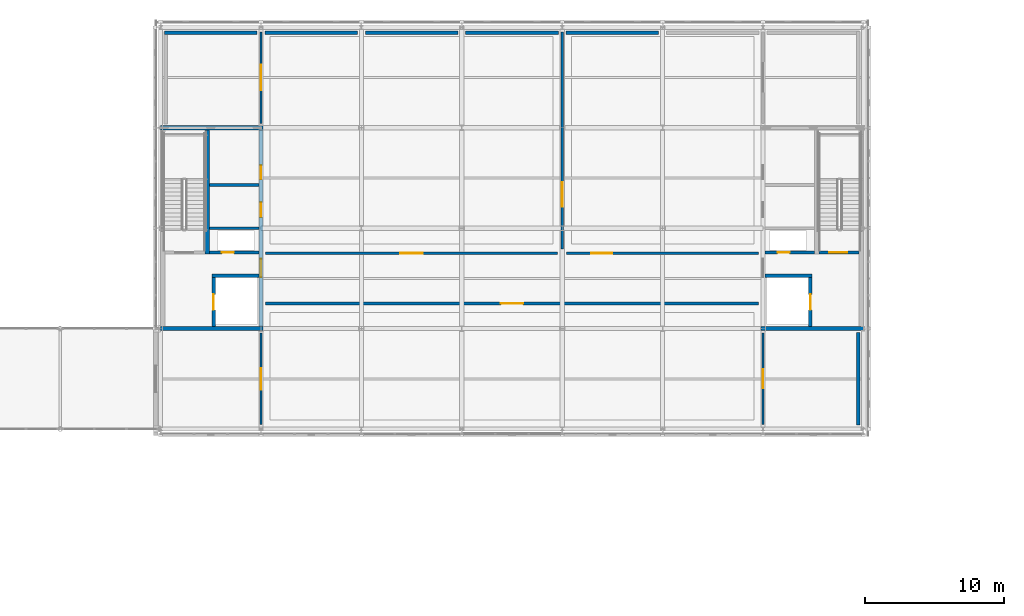
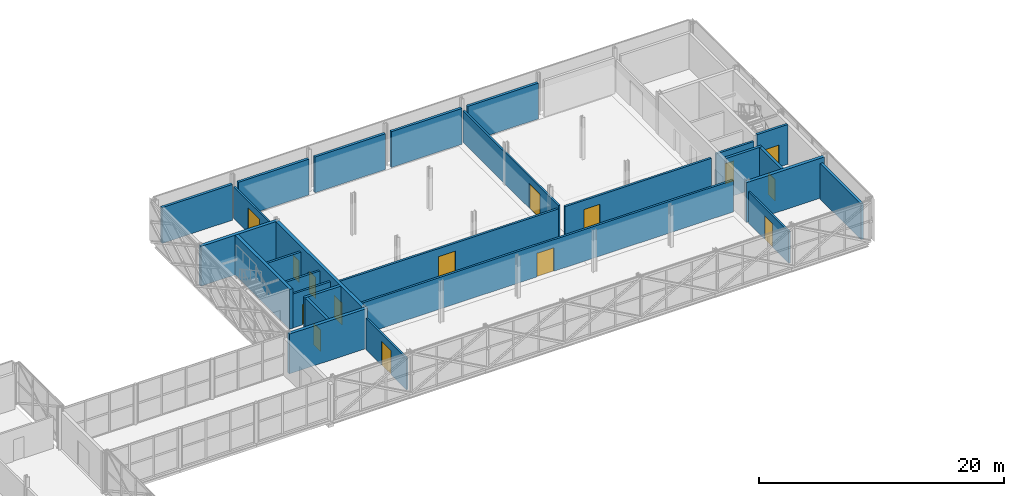
# One storey, part 89 of 103: 27 walls, 15 doors, 15 openings.
"""IFC4 building model written with IfcOpenShell, lengths in metres."""

from ifc_helpers import new_model, si_unit, direction, frame, frame_2d, origin, place, context, subcontext, project, spatial, rectangle, extrude, material, layer, layer_set, type_object, element, fill, save


model = new_model("IFC4")

# Units and contexts
model_context = context("Model", 3, precision=1e-05, world=origin(), true_north=direction((0.0, 1.0)))
body_context = subcontext(model_context, "Body", "Model", "MODEL_VIEW")
ifc_project = project(units=[si_unit("LENGTHUNIT", "METRE"), si_unit("AREAUNIT", "SQUARE_METRE"), si_unit("VOLUMEUNIT", "CUBIC_METRE"), si_unit("PLANEANGLEUNIT", "RADIAN"), si_unit("MASSUNIT", "GRAM", prefix="KILO")], contexts=[model_context])

# Site, building, storey
site_placement = place(None, origin())
site = spatial("IfcSite", under=ifc_project, at=site_placement, CompositionType="ELEMENT")
building_placement = place(site_placement, origin())
building = spatial("IfcBuilding", under=site, at=building_placement, Name="Zlatovets Crest Museum", CompositionType="ELEMENT")
storey_placement = place(building_placement, frame((0.0, 0.0, 12.89990234375)))
storey = spatial("IfcBuildingStorey", under=building, at=storey_placement, Name="L03", CompositionType="ELEMENT", Elevation=12.89990234375)

# Walls
ifc_material_1 = material(Name="Concrete C35/45", Category="concrete")
ifc_layer_1 = layer(ifc_material_1, 0.300048828125)
ifc_layer_set_1 = layer_set([ifc_layer_1], Name="Concrete C35/45")
wall_type_1 = type_object("IfcWallType", Name="CoreWall_SW01", PredefinedType="SHEAR", material=ifc_layer_set_1)
for number, where, z_axis, x_axis, name in (
    (1, (57.60009765625, 93.60009765625, 0.0), (0.0, 0.0, 1.0), (1.0, 0.0, 0.0), "Core C1 L03 South Shear Wall"),
    (2, (57.60009765625, 108.0, 0.0), (0.0, 0.0, 1.0), (1.0, 0.0, 0.0), "Core C1 L03 North Shear Wall"),
):
    element("IfcWall", number, at=place(storey_placement, frame(where, z_axis=z_axis, x_axis=x_axis)), inside=storey, type_object=wall_type_1, Name=name, PredefinedType="SHEAR", context=body_context, shape_type="SweptSolid", body=[
        extrude(rectangle(XDim=7.349853515625, YDim=0.300048828125, at=frame_2d((3.6748046875, 0.0))), origin(), (0.0, 0.0, 1.0), 3.960205078125),
    ])

# Wall, openings, doors
wall_1_placement = place(storey_placement, frame((64.800048828125, 93.75, 0.0), z_axis=(0.0, 0.0, 1.0), x_axis=(0.0, 1.0, 0.0)))
wall_1 = element("IfcWall", 3, at=wall_1_placement, inside=storey, type_object=wall_type_1, Name="Core C1 L03 Spine Shear Wall", PredefinedType="SHEAR", context=body_context, shape_type="SweptSolid", body=[
    extrude(rectangle(XDim=14.10009765625, YDim=0.300048828125, at=frame_2d((7.050048828125, 0.0))), origin(), (0.0, 0.0, 1.0), 3.960205078125),
])
opening_1_placement = place(wall_1_placement, frame((3.550048828125, 0.0, 0.0)))
opening_1 = element("IfcOpeningElement", 4, at=opening_1_placement, cuts=wall_1, Name="Opening FD-01", PredefinedType="OPENING", context=body_context, shape_type="SweptSolid", body=[
    extrude(rectangle(XDim=1.300048828125, YDim=2.199951171875, at=frame_2d((0.64990234375, 1.10009765625))), frame((0.0, 0.16015625, 0.0), z_axis=(0.0, -1.0, 0.0), x_axis=(1.0, 0.0, 0.0)), (0.0, 0.0, 1.0), 0.320068359375),
])
opening_2_placement = place(wall_1_placement, frame((7.85009765625, 0.0, 0.0)))
opening_2 = element("IfcOpeningElement", 5, at=opening_2_placement, cuts=wall_1, Name="Opening ID-02", PredefinedType="OPENING", context=body_context, shape_type="SweptSolid", body=[
    extrude(rectangle(XDim=1.050048828125, YDim=2.14990234375, at=frame_2d((0.52490234375, 1.074951171875))), frame((0.0, 0.16015625, 0.0), z_axis=(0.0, -1.0, 0.0), x_axis=(1.0, 0.0, 0.0)), (0.0, 0.0, 1.0), 0.320068359375),
])
opening_3_placement = place(wall_1_placement, frame((10.550048828125, 0.0, 0.0)))
opening_3 = element("IfcOpeningElement", 6, at=opening_3_placement, cuts=wall_1, Name="Opening ID-01", PredefinedType="OPENING", context=body_context, shape_type="SweptSolid", body=[
    extrude(rectangle(XDim=1.0, YDim=2.14990234375, at=frame_2d((0.5, 1.074951171875))), frame((0.0, 0.16015625, 0.0), z_axis=(0.0, -1.0, 0.0), x_axis=(1.0, 0.0, 0.0)), (0.0, 0.0, 1.0), 0.320068359375),
])
ifc_material_2 = material(Name="Smoke-sealed steel fire door", Category="steel")
door_type_1 = type_object("IfcDoorType", Name="IntDoor_FD-01", OperationType="NOTDEFINED", PredefinedType="DOOR", material=ifc_material_2)
door_1_placement = place(opening_1_placement, origin())
door_1 = element("IfcDoor", 7, at=door_1_placement, inside=storey, type_object=door_type_1, Name="CDOOR-C1-L03-LOB Core C1 L03 Lobby Fire Door", OperationType="SINGLE_SWING_LEFT", OverallHeight=2.199951171875, OverallWidth=1.300048828125, PredefinedType="DOOR", context=body_context, shape_type="SweptSolid", body=[
    extrude(rectangle(XDim=1.300048828125, YDim=2.199951171875, at=frame_2d((0.64990234375, 1.10009765625))), frame((0.0, 0.02490234375, 0.0), z_axis=(0.0, -1.0, 0.0), x_axis=(1.0, 0.0, 0.0)), (0.0, 0.0, 1.0), 0.050048828125),
])
fill(opening_1, door_1)
ifc_material_3 = material(Name="Solid oak museum room door")
door_type_2 = type_object("IfcDoorType", Name="IntDoor_ID-01", OperationType="NOTDEFINED", PredefinedType="DOOR", material=ifc_material_3)
door_2_placement = place(opening_3_placement, origin())
door_2 = element("IfcDoor", 8, at=door_2_placement, inside=storey, type_object=door_type_2, Name="CDOOR-C1-L03-WC Core C1 L03 Public Restroom Door", OperationType="SINGLE_SWING_RIGHT", OverallHeight=2.14990234375, OverallWidth=1.0, PredefinedType="DOOR", context=body_context, shape_type="SweptSolid", body=[
    extrude(rectangle(XDim=1.0, YDim=2.14990234375, at=frame_2d((0.5, 1.074951171875))), frame((0.0, 0.02490234375, 0.0), z_axis=(0.0, -1.0, 0.0), x_axis=(1.0, 0.0, 0.0)), (0.0, 0.0, 1.0), 0.050048828125),
])
fill(opening_3, door_2)
ifc_material_4 = material(Name="Accessible sanitary room door")
door_type_3 = type_object("IfcDoorType", Name="IntDoor_ID-02", OperationType="NOTDEFINED", PredefinedType="DOOR", material=ifc_material_4)
door_3_placement = place(opening_2_placement, origin())
door_3 = element("IfcDoor", 9, at=door_3_placement, inside=storey, type_object=door_type_3, Name="CDOOR-C1-L03-AWC Core C1 L03 Accessible WC Door", OperationType="SINGLE_SWING_LEFT", OverallHeight=2.14990234375, OverallWidth=1.050048828125, PredefinedType="DOOR", context=body_context, shape_type="SweptSolid", body=[
    extrude(rectangle(XDim=1.050048828125, YDim=2.14990234375, at=frame_2d((0.52490234375, 1.074951171875))), frame((0.0, 0.02490234375, 0.0), z_axis=(0.0, -1.0, 0.0), x_axis=(1.0, 0.0, 0.0)), (0.0, 0.0, 1.0), 0.050048828125),
])
fill(opening_2, door_3)

# Walls
wall_2_placement = place(storey_placement, frame((60.949951171875, 98.93994140625, 0.0), z_axis=(0.0, 0.0, 1.0), x_axis=(0.0, 1.0, 0.0)))
element("IfcWall", 10, at=wall_2_placement, inside=storey, type_object=wall_type_1, Name="Core C1 L03 Stair Divider Wall", PredefinedType="SHEAR", context=body_context, shape_type="SweptSolid", body=[
    extrude(rectangle(XDim=8.91015625, YDim=0.300048828125, at=frame_2d((4.455078125, 0.0))), origin(), (0.0, 0.0, 1.0), 3.960205078125),
])
wall_3_placement = place(storey_placement, frame((100.64990234375, 93.60009765625, 0.0), z_axis=(0.0, 0.0, 1.0), x_axis=(1.0, 0.0, 0.0)))
element("IfcWall", 11, at=wall_3_placement, inside=storey, type_object=wall_type_1, Name="Core C6 L03 South Shear Wall", PredefinedType="SHEAR", context=body_context, shape_type="SweptSolid", body=[
    extrude(rectangle(XDim=7.35009765625, YDim=0.300048828125, at=frame_2d((3.675048828125, 0.0))), origin(), (0.0, 0.0, 1.0), 3.960205078125),
])

# Wall, opening, door
ifc_layer_2 = layer(ifc_material_1, 0.25)
ifc_layer_set_2 = layer_set([ifc_layer_2], Name="Concrete C35/45")
wall_type_2 = type_object("IfcWallType", Name="CoreWall_SW02", PredefinedType="SHEAR", material=ifc_layer_set_2)
wall_4_placement = place(storey_placement, frame((61.39990234375, 93.75, 0.0), z_axis=(0.0, 0.0, 1.0), x_axis=(0.0, 1.0, 0.0)))
wall_4 = element("IfcWall", 12, at=wall_4_placement, inside=storey, type_object=wall_type_2, Name="Core C1 L03 Lift Shaft Wall", PredefinedType="SHEAR", context=body_context, shape_type="SweptSolid", body=[
    extrude(rectangle(XDim=3.52490234375, YDim=0.25, at=frame_2d((1.762451171875, 0.0))), origin(), (0.0, 0.0, 1.0), 3.960205078125),
])
opening_4_placement = place(wall_4_placement, frame((1.199951171875, 0.0, 0.0)))
opening_4 = element("IfcOpeningElement", 13, at=opening_4_placement, cuts=wall_4, Name="Opening LD-01", PredefinedType="OPENING", context=body_context, shape_type="SweptSolid", body=[
    extrude(rectangle(XDim=1.10009765625, YDim=2.14990234375, at=frame_2d((0.550048828125, 1.074951171875))), frame((0.0, 0.135009765625, 0.0), z_axis=(0.0, -1.0, 0.0), x_axis=(1.0, 0.0, 0.0)), (0.0, 0.0, 1.0), 0.27001953125),
])
ifc_material_5 = material(Name="Stainless-bronze sliding lift landing door")
door_type_4 = type_object("IfcDoorType", Name="IntDoor_LD-01", OperationType="SLIDING_TO_LEFT", PredefinedType="DOOR", material=ifc_material_5)
door_4_placement = place(opening_4_placement, origin())
door_4 = element("IfcDoor", 14, at=door_4_placement, inside=storey, type_object=door_type_4, Name="LDOOR-FL1-L03 Lift FL1 L03 Sliding Landing Door", OperationType="SLIDING_TO_LEFT", OverallHeight=2.14990234375, OverallWidth=1.10009765625, PredefinedType="DOOR", context=body_context, shape_type="SweptSolid", body=[
    extrude(rectangle(XDim=1.10009765625, YDim=2.14990234375, at=frame_2d((0.550048828125, 1.074951171875))), frame((0.0, 0.02490234375, 0.0), z_axis=(0.0, -1.0, 0.0), x_axis=(1.0, 0.0, 0.0)), (0.0, 0.0, 1.0), 0.050048828125),
])
fill(opening_4, door_4)

# Wall
wall_5_placement = place(storey_placement, frame((61.27490234375, 97.39990234375, 0.0), z_axis=(0.0, 0.0, 1.0), x_axis=(1.0, 0.0, 0.0)))
element("IfcWall", 15, at=wall_5_placement, inside=storey, type_object=wall_type_2, Name="Core C1 L03 Lift Shaft North Shear Wall", PredefinedType="SHEAR", context=body_context, shape_type="SweptSolid", body=[
    extrude(rectangle(XDim=3.375, YDim=0.25, at=frame_2d((1.6875, 0.0))), origin(), (0.0, 0.0, 1.0), 3.960205078125),
])

# Wall, opening, door
wall_6_placement = place(storey_placement, frame((104.199951171875, 93.75, 0.0), z_axis=(0.0, 0.0, 1.0), x_axis=(0.0, 1.0, 0.0)))
wall_6 = element("IfcWall", 16, at=wall_6_placement, inside=storey, type_object=wall_type_2, Name="Core C6 L03 Lift Shaft Wall", PredefinedType="SHEAR", context=body_context, shape_type="SweptSolid", body=[
    extrude(rectangle(XDim=3.52490234375, YDim=0.25, at=frame_2d((1.762451171875, 0.0))), origin(), (0.0, 0.0, 1.0), 3.960205078125),
])
opening_5_placement = place(wall_6_placement, frame((1.199951171875, 0.0, 0.0)))
opening_5 = element("IfcOpeningElement", 17, at=opening_5_placement, cuts=wall_6, Name="Opening LD-01", PredefinedType="OPENING", context=body_context, shape_type="SweptSolid", body=[
    extrude(rectangle(XDim=1.10009765625, YDim=2.14990234375, at=frame_2d((0.550048828125, 1.074951171875))), frame((0.0, 0.135009765625, 0.0), z_axis=(0.0, -1.0, 0.0), x_axis=(1.0, 0.0, 0.0)), (0.0, 0.0, 1.0), 0.27001953125),
])
door_5_placement = place(opening_5_placement, origin())
door_5 = element("IfcDoor", 18, at=door_5_placement, inside=storey, type_object=door_type_4, Name="LDOOR-FL2-L03 Lift FL2 L03 Sliding Landing Door", OperationType="SLIDING_TO_LEFT", OverallHeight=2.14990234375, OverallWidth=1.10009765625, PredefinedType="DOOR", context=body_context, shape_type="SweptSolid", body=[
    extrude(rectangle(XDim=1.10009765625, YDim=2.14990234375, at=frame_2d((0.550048828125, 1.074951171875))), frame((0.0, 0.02490234375, 0.0), z_axis=(0.0, -1.0, 0.0), x_axis=(1.0, 0.0, 0.0)), (0.0, 0.0, 1.0), 0.050048828125),
])
fill(opening_5, door_5)

wall_7_placement = place(storey_placement, frame((104.800048828125, 99.050048828125, 0.0), z_axis=(0.0, 0.0, 1.0), x_axis=(1.0, 0.0, 0.0)))
wall_7 = element("IfcWall", 19, at=wall_7_placement, inside=storey, type_object=wall_type_2, Name="Core C6 L03 Stairwell Fire Wall", PredefinedType="SHEAR", context=body_context, shape_type="SweptSolid", body=[
    extrude(rectangle(XDim=2.89990234375, YDim=0.219970703125, at=frame_2d((1.449951171875, 0.0))), origin(), (0.0, 0.0, 1.0), 3.960205078125),
])
opening_6_placement = place(wall_7_placement, frame((0.75, 0.0, 0.0)))
opening_6 = element("IfcOpeningElement", 20, at=opening_6_placement, cuts=wall_7, Name="Opening FD-01", PredefinedType="OPENING", context=body_context, shape_type="SweptSolid", body=[
    extrude(rectangle(XDim=1.300048828125, YDim=2.199951171875, at=frame_2d((0.64990234375, 1.10009765625))), frame((0.0, 0.1201171875, 0.0), z_axis=(0.0, -1.0, 0.0), x_axis=(1.0, 0.0, 0.0)), (0.0, 0.0, 1.0), 0.239990234375),
])
door_6_placement = place(opening_6_placement, origin())
door_6 = element("IfcDoor", 21, at=door_6_placement, inside=storey, type_object=door_type_1, Name="SDOOR-ST7-L03 Stair ST7 L03 Fire Door", OperationType="SINGLE_SWING_LEFT", OverallHeight=2.199951171875, OverallWidth=1.300048828125, PredefinedType="DOOR", context=body_context, shape_type="SweptSolid", body=[
    extrude(rectangle(XDim=1.300048828125, YDim=2.199951171875, at=frame_2d((0.64990234375, 1.10009765625))), frame((0.0, 0.02490234375, 0.0), z_axis=(0.0, -1.0, 0.0), x_axis=(1.0, 0.0, 0.0)), (0.0, 0.0, 1.0), 0.050048828125),
])
fill(opening_6, door_6)

# Walls
wall_8_placement = place(storey_placement, frame((100.949951171875, 97.39990234375, 0.0), z_axis=(0.0, 0.0, 1.0), x_axis=(1.0, 0.0, 0.0)))
element("IfcWall", 22, at=wall_8_placement, inside=storey, type_object=wall_type_2, Name="Core C6 L03 Lift Shaft North Shear Wall", PredefinedType="SHEAR", context=body_context, shape_type="SweptSolid", body=[
    extrude(rectangle(XDim=3.375, YDim=0.25, at=frame_2d((1.6875, 0.0))), origin(), (0.0, 0.0, 1.0), 3.960205078125),
])
ifc_material_6 = material(Name="Insulated gallery conservation liner wall", Category="concrete")
ifc_layer_3 = layer(ifc_material_6, 0.300048828125)
ifc_layer_set_3 = layer_set([ifc_layer_3], Name="Insulated gallery conservation liner wall")
wall_type_3 = type_object("IfcWallType", Name="ExtWall_EW-02", PredefinedType="STANDARD", material=ifc_layer_set_3)
for number, where, z_axis, x_axis, name in (
    (23, (107.6201171875, 86.679931640625, 0.0), (0.0, 0.0, 1.0), (0.0, 1.0, 0.0), "V1 L03 Interior Conservation Gallery Liner Wall"),
    (24, (93.320068359375, 114.820068359375, 0.0), (0.0, 0.0, 1.0), (-1.0, 0.0, 0.0), "V1 L03 Interior Conservation Gallery Liner Wall"),
    (25, (86.1201171875, 114.820068359375, 0.0), (0.0, 0.0, 1.0), (-1.0, 0.0, 0.0), "V1 L03 Interior Conservation Gallery Liner Wall"),
):
    element("IfcWall", number, at=place(storey_placement, frame(where, z_axis=z_axis, x_axis=x_axis)), inside=storey, type_object=wall_type_3, Name=name, PredefinedType="STANDARD", context=body_context, shape_type="SweptSolid", body=[
        extrude(rectangle(XDim=6.64013671875, YDim=0.239990234375, at=frame_2d((3.320068359375, 0.0))), origin(), (0.0, 0.0, 1.0), 3.56005859375),
    ])
for number, where, z_axis, x_axis, name in (
    (26, (78.919921875, 114.820068359375, 0.0), (0.0, 0.0, 1.0), (-1.0, 0.0, 0.0), "V1 L03 Interior Conservation Gallery Liner Wall"),
    (27, (71.719970703125, 114.820068359375, 0.0), (0.0, 0.0, 1.0), (-1.0, 0.0, 0.0), "V1 L03 Interior Conservation Gallery Liner Wall"),
):
    element("IfcWall", number, at=place(storey_placement, frame(where, z_axis=z_axis, x_axis=x_axis)), inside=storey, type_object=wall_type_3, Name=name, PredefinedType="STANDARD", context=body_context, shape_type="SweptSolid", body=[
        extrude(rectangle(XDim=6.639892578125, YDim=0.239990234375, at=frame_2d((3.31982421875, 0.0))), origin(), (0.0, 0.0, 1.0), 3.56005859375),
    ])
wall_9_placement = place(storey_placement, frame((64.52001953125, 114.820068359375, 0.0), z_axis=(0.0, 0.0, 1.0), x_axis=(-1.0, 0.0, 0.0)))
element("IfcWall", 28, at=wall_9_placement, inside=storey, type_object=wall_type_3, Name="V1 L03 Interior Conservation Gallery Liner Wall", PredefinedType="STANDARD", context=body_context, shape_type="SweptSolid", body=[
    extrude(rectangle(XDim=6.64013671875, YDim=0.239990234375, at=frame_2d((3.320068359375, 0.0))), origin(), (0.0, 0.0, 1.0), 3.56005859375),
])

# Wall, opening, door
ifc_material_7 = material(Name="Gypsum-encased fire compartment partition")
ifc_layer_4 = layer(ifc_material_7, 0.199951171875)
ifc_layer_set_4 = layer_set([ifc_layer_4], Name="Gypsum-encased fire compartment partition")
wall_type_4 = type_object("IfcWallType", Name="PartWall_PT-01", PredefinedType="PARTITIONING", material=ifc_layer_set_4)
wall_10_placement = place(storey_placement, frame((65.1201171875, 95.39990234375, 0.0), z_axis=(0.0, 0.0, 1.0), x_axis=(1.0, 0.0, 0.0)))
wall_10 = element("IfcWall", 29, at=wall_10_placement, inside=storey, type_object=wall_type_4, Name="V1 L03 Interior Partition PT-01", PredefinedType="PARTITIONING", context=body_context, shape_type="SweptSolid", body=[
    extrude(rectangle(XDim=35.35986328125, YDim=0.199951171875, at=frame_2d((17.679931640625, 0.0))), origin(), (0.0, 0.0, 1.0), 3.150146484375),
])
opening_7_placement = place(wall_10_placement, frame((16.8798828125, 0.0, 0.0)))
opening_7 = element("IfcOpeningElement", 30, at=opening_7_placement, cuts=wall_10, Name="Opening ID-04", PredefinedType="OPENING", context=body_context, shape_type="SweptSolid", body=[
    extrude(rectangle(XDim=1.60009765625, YDim=2.35009765625, at=frame_2d((0.800048828125, 1.175048828125))), frame((0.0, 0.10986328125, 0.0), z_axis=(0.0, -1.0, 0.0), x_axis=(1.0, 0.0, 0.0)), (0.0, 0.0, 1.0), 0.219970703125),
])
ifc_material_8 = material(Name="Gallery salon double portal door")
door_type_5 = type_object("IfcDoorType", Name="IntDoor_ID-04", OperationType="DOUBLE_DOOR_SINGLE_SWING", PredefinedType="DOOR", material=ifc_material_8)
door_7_placement = place(opening_7_placement, origin())
door_7 = element("IfcDoor", 31, at=door_7_placement, inside=storey, type_object=door_type_5, Name="IDOOR-V1-L03-0181 Third Floor Gallery Hallway to Balkan Textile and Silverware Salon Door", OperationType="DOUBLE_DOOR_SINGLE_SWING", OverallHeight=2.35009765625, OverallWidth=1.60009765625, PredefinedType="DOOR", context=body_context, shape_type="SweptSolid", body=[
    extrude(rectangle(XDim=1.60009765625, YDim=2.35009765625, at=frame_2d((0.800048828125, 1.175048828125))), frame((0.0, 0.02490234375, 0.0), z_axis=(0.0, -1.0, 0.0), x_axis=(1.0, 0.0, 0.0)), (0.0, 0.0, 1.0), 0.050048828125),
])
fill(opening_7, door_7)

wall_11_placement = place(storey_placement, frame((65.1201171875, 99.0, 0.0), z_axis=(0.0, 0.0, 1.0), x_axis=(1.0, 0.0, 0.0)))
wall_11 = element("IfcWall", 32, at=wall_11_placement, inside=storey, type_object=wall_type_4, Name="V1 L03 Interior Partition PT-01", PredefinedType="PARTITIONING", context=body_context, shape_type="SweptSolid", body=[
    extrude(rectangle(XDim=20.9599609375, YDim=0.199951171875, at=frame_2d((10.47998046875, 0.0))), origin(), (0.0, 0.0, 1.0), 3.150146484375),
])
opening_8_placement = place(wall_11_placement, frame((9.679931640625, 0.0, 0.0)))
opening_8 = element("IfcOpeningElement", 33, at=opening_8_placement, cuts=wall_11, Name="Opening ID-04", PredefinedType="OPENING", context=body_context, shape_type="SweptSolid", body=[
    extrude(rectangle(XDim=1.60009765625, YDim=2.35009765625, at=frame_2d((0.800048828125, 1.175048828125))), frame((0.0, 0.10986328125, 0.0), z_axis=(0.0, -1.0, 0.0), x_axis=(1.0, 0.0, 0.0)), (0.0, 0.0, 1.0), 0.219970703125),
])
door_8_placement = place(opening_8_placement, origin())
door_8 = element("IfcDoor", 34, at=door_8_placement, inside=storey, type_object=door_type_5, Name="IDOOR-V1-L03-0182 Third Floor Gallery Hallway to Modernist Landscape Painting Gallery Door", OperationType="DOUBLE_DOOR_SINGLE_SWING", OverallHeight=2.35009765625, OverallWidth=1.60009765625, PredefinedType="DOOR", context=body_context, shape_type="SweptSolid", body=[
    extrude(rectangle(XDim=1.60009765625, YDim=2.35009765625, at=frame_2d((0.800048828125, 1.175048828125))), frame((0.0, 0.02490234375, 0.0), z_axis=(0.0, -1.0, 0.0), x_axis=(1.0, 0.0, 0.0)), (0.0, 0.0, 1.0), 0.050048828125),
])
fill(opening_8, door_8)

wall_12_placement = place(storey_placement, frame((86.719970703125, 99.0, 0.0), z_axis=(0.0, 0.0, 1.0), x_axis=(1.0, 0.0, 0.0)))
wall_12 = element("IfcWall", 35, at=wall_12_placement, inside=storey, type_object=wall_type_4, Name="V1 L03 Interior Partition PT-01", PredefinedType="PARTITIONING", context=body_context, shape_type="SweptSolid", body=[
    extrude(rectangle(XDim=13.760009765625, YDim=0.199951171875, at=frame_2d((6.8798828125, 0.0))), origin(), (0.0, 0.0, 1.0), 3.150146484375),
])
opening_9_placement = place(wall_12_placement, frame((1.751708984375, 0.0, 0.0)))
opening_9 = element("IfcOpeningElement", 36, at=opening_9_placement, cuts=wall_12, Name="Opening FD-02", PredefinedType="OPENING", context=body_context, shape_type="SweptSolid", body=[
    extrude(rectangle(XDim=1.5, YDim=2.25, at=frame_2d((0.75, 1.125))), frame((0.0, 0.10986328125, 0.0), z_axis=(0.0, -1.0, 0.0), x_axis=(1.0, 0.0, 0.0)), (0.0, 0.0, 1.0), 0.219970703125),
])
ifc_material_9 = material(Name="Double corridor compartment fire door")
door_type_6 = type_object("IfcDoorType", Name="IntDoor_FD-02", OperationType="DOUBLE_DOOR_SINGLE_SWING", PredefinedType="DOOR", material=ifc_material_9)
door_9_placement = place(opening_9_placement, origin())
door_9 = element("IfcDoor", 37, at=door_9_placement, inside=storey, type_object=door_type_6, Name="IDOOR-V1-L03-0183 Third Floor Gallery Hallway to Graphic and Woodcut Cabinet Door", OperationType="DOUBLE_DOOR_SINGLE_SWING", OverallHeight=2.25, OverallWidth=1.5, PredefinedType="DOOR", context=body_context, shape_type="SweptSolid", body=[
    extrude(rectangle(XDim=1.5, YDim=2.25, at=frame_2d((0.75, 1.125))), frame((0.0, 0.02490234375, 0.0), z_axis=(0.0, -1.0, 0.0), x_axis=(1.0, 0.0, 0.0)), (0.0, 0.0, 1.0), 0.050048828125),
])
fill(opening_9, door_9)

ifc_material_10 = material(Name="Acoustic museum gallery stud partition")
ifc_layer_5 = layer(ifc_material_10, 0.159912109375)
ifc_layer_set_5 = layer_set([ifc_layer_5], Name="Acoustic museum gallery stud partition")
wall_type_5 = type_object("IfcWallType", Name="PartWall_PT-02", PredefinedType="PARTITIONING", material=ifc_layer_set_5)
wall_13_placement = place(storey_placement, frame((100.800048828125, 86.719970703125, 0.0), z_axis=(0.0, 0.0, 1.0), x_axis=(0.0, 1.0, 0.0)))
wall_13 = element("IfcWall", 38, at=wall_13_placement, inside=storey, type_object=wall_type_5, Name="V1 L03 Interior Partition PT-02", PredefinedType="PARTITIONING", context=body_context, shape_type="SweptSolid", body=[
    extrude(rectangle(XDim=6.56005859375, YDim=0.159912109375, at=frame_2d((3.280029296875, 0.0))), origin(), (0.0, 0.0, 1.0), 3.150146484375),
])
opening_10_placement = place(wall_13_placement, frame((2.60498046875, 0.0, 0.0)))
opening_10 = element("IfcOpeningElement", 39, at=opening_10_placement, cuts=wall_13, Name="Opening ID-12", PredefinedType="OPENING", context=body_context, shape_type="SweptSolid", body=[
    extrude(rectangle(XDim=1.35009765625, YDim=2.35009765625, at=frame_2d((0.675048828125, 1.175048828125))), frame((0.0, 0.08984375, 0.0), z_axis=(0.0, -1.0, 0.0), x_axis=(1.0, 0.0, 0.0)), (0.0, 0.0, 1.0), 0.179931640625),
])
ifc_material_11 = material(Name="Specimen prep wide oak door")
door_type_7 = type_object("IfcDoorType", Name="IntDoor_ID-12", OperationType="NOTDEFINED", PredefinedType="DOOR", material=ifc_material_11)
door_10_placement = place(opening_10_placement, origin())
door_10 = element("IfcDoor", 40, at=door_10_placement, inside=storey, type_object=door_type_7, Name="IDOOR-V1-L03-0184 Balkan Textile and Silverware Salon to East Crest Reading Room Door", OperationType="SINGLE_SWING_LEFT", OverallHeight=2.35009765625, OverallWidth=1.35009765625, PredefinedType="DOOR", context=body_context, shape_type="SweptSolid", body=[
    extrude(rectangle(XDim=1.35009765625, YDim=2.35009765625, at=frame_2d((0.675048828125, 1.175048828125))), frame((0.0, 0.02490234375, 0.0), z_axis=(0.0, -1.0, 0.0), x_axis=(1.0, 0.0, 0.0)), (0.0, 0.0, 1.0), 0.050048828125),
])
fill(opening_10, door_10)

wall_14_placement = place(storey_placement, frame((64.800048828125, 86.719970703125, 0.0), z_axis=(0.0, 0.0, 1.0), x_axis=(0.0, 1.0, 0.0)))
wall_14 = element("IfcWall", 41, at=wall_14_placement, inside=storey, type_object=wall_type_5, Name="V1 L03 Interior Partition PT-02", PredefinedType="PARTITIONING", context=body_context, shape_type="SweptSolid", body=[
    extrude(rectangle(XDim=6.56005859375, YDim=0.159912109375, at=frame_2d((3.280029296875, 0.0))), origin(), (0.0, 0.0, 1.0), 3.150146484375),
])
opening_11_placement = place(wall_14_placement, frame((2.5048828125, 0.0, 0.0)))
opening_11 = element("IfcOpeningElement", 42, at=opening_11_placement, cuts=wall_14, Name="Opening ID-13", PredefinedType="OPENING", context=body_context, shape_type="SweptSolid", body=[
    extrude(rectangle(XDim=1.550048828125, YDim=2.39990234375, at=frame_2d((0.77490234375, 1.199951171875))), frame((0.0, 0.08984375, 0.0), z_axis=(0.0, -1.0, 0.0), x_axis=(1.0, 0.0, 0.0)), (0.0, 0.0, 1.0), 0.179931640625),
])
ifc_material_12 = material(Name="Cabinet gallery double door")
door_type_8 = type_object("IfcDoorType", Name="IntDoor_ID-13", OperationType="DOUBLE_DOOR_SINGLE_SWING", PredefinedType="DOOR", material=ifc_material_12)
door_11_placement = place(opening_11_placement, origin())
door_11 = element("IfcDoor", 43, at=door_11_placement, inside=storey, type_object=door_type_8, Name="IDOOR-V1-L03-0185 Balkan Textile and Silverware Salon to Third Floor Bridge Foyer Door", OperationType="DOUBLE_DOOR_SINGLE_SWING", OverallHeight=2.39990234375, OverallWidth=1.550048828125, PredefinedType="DOOR", context=body_context, shape_type="SweptSolid", body=[
    extrude(rectangle(XDim=1.550048828125, YDim=2.39990234375, at=frame_2d((0.77490234375, 1.199951171875))), frame((0.0, 0.02490234375, 0.0), z_axis=(0.0, -1.0, 0.0), x_axis=(1.0, 0.0, 0.0)), (0.0, 0.0, 1.0), 0.050048828125),
])
fill(opening_11, door_11)

wall_15_placement = place(storey_placement, frame((86.39990234375, 99.320068359375, 0.0), z_axis=(0.0, 0.0, 1.0), x_axis=(0.0, 1.0, 0.0)))
wall_15 = element("IfcWall", 44, at=wall_15_placement, inside=storey, type_object=wall_type_5, Name="V1 L03 Interior Partition PT-02", PredefinedType="PARTITIONING", context=body_context, shape_type="SweptSolid", body=[
    extrude(rectangle(XDim=15.559814453125, YDim=0.159912109375, at=frame_2d((7.77978515625, 0.0))), origin(), (0.0, 0.0, 1.0), 3.150146484375),
])
opening_12_placement = place(wall_15_placement, frame((3.014892578125, 0.0, 0.0)))
opening_12 = element("IfcOpeningElement", 45, at=opening_12_placement, cuts=wall_15, Name="Opening ID-14", PredefinedType="OPENING", context=body_context, shape_type="SweptSolid", body=[
    extrude(rectangle(XDim=1.75, YDim=2.449951171875, at=frame_2d((0.875, 1.22509765625))), frame((0.0, 0.08984375, 0.0), z_axis=(0.0, -1.0, 0.0), x_axis=(1.0, 0.0, 0.0)), (0.0, 0.0, 1.0), 0.179931640625),
])
ifc_material_13 = material(Name="Applied arts salon double door")
door_type_9 = type_object("IfcDoorType", Name="IntDoor_ID-14", OperationType="DOUBLE_DOOR_SINGLE_SWING", PredefinedType="DOOR", material=ifc_material_13)
door_12_placement = place(opening_12_placement, origin())
door_12 = element("IfcDoor", 46, at=door_12_placement, inside=storey, type_object=door_type_9, Name="IDOOR-V1-L03-0186 Modernist Landscape Painting Gallery to Graphic and Woodcut Cabinet Door", OperationType="DOUBLE_DOOR_SINGLE_SWING", OverallHeight=2.449951171875, OverallWidth=1.75, PredefinedType="DOOR", context=body_context, shape_type="SweptSolid", body=[
    extrude(rectangle(XDim=1.75, YDim=2.449951171875, at=frame_2d((0.875, 1.22509765625))), frame((0.0, 0.02490234375, 0.0), z_axis=(0.0, -1.0, 0.0), x_axis=(1.0, 0.0, 0.0)), (0.0, 0.0, 1.0), 0.050048828125),
])
fill(opening_12, door_12)

wall_16_placement = place(storey_placement, frame((64.800048828125, 108.320068359375, 0.0), z_axis=(0.0, 0.0, 1.0), x_axis=(0.0, 1.0, 0.0)))
wall_16 = element("IfcWall", 47, at=wall_16_placement, inside=storey, type_object=wall_type_5, Name="V1 L03 Interior Partition PT-02", PredefinedType="PARTITIONING", context=body_context, shape_type="SweptSolid", body=[
    extrude(rectangle(XDim=6.559814453125, YDim=0.159912109375, at=frame_2d((3.27978515625, 0.0))), origin(), (0.0, 0.0, 1.0), 3.150146484375),
])
opening_13_placement = place(wall_16_placement, frame((2.35498046875, 0.0, 0.0)))
opening_13 = element("IfcOpeningElement", 48, at=opening_13_placement, cuts=wall_16, Name="Opening ID-15", PredefinedType="OPENING", context=body_context, shape_type="SweptSolid", body=[
    extrude(rectangle(XDim=1.85009765625, YDim=2.5, at=frame_2d((0.925048828125, 1.25))), frame((0.0, 0.08984375, 0.0), z_axis=(0.0, -1.0, 0.0), x_axis=(1.0, 0.0, 0.0)), (0.0, 0.0, 1.0), 0.179931640625),
])
ifc_material_14 = material(Name="Painting gallery enfilade portal")
door_type_10 = type_object("IfcDoorType", Name="IntDoor_ID-15", OperationType="DOUBLE_DOOR_SINGLE_SWING", PredefinedType="DOOR", material=ifc_material_14)
door_13_placement = place(opening_13_placement, origin())
door_13 = element("IfcDoor", 49, at=door_13_placement, inside=storey, type_object=door_type_10, Name="IDOOR-V1-L03-0187 Modernist Landscape Painting Gallery to Prints Curatorial Office Door", OperationType="DOUBLE_DOOR_SINGLE_SWING", OverallHeight=2.5, OverallWidth=1.85009765625, PredefinedType="DOOR", context=body_context, shape_type="SweptSolid", body=[
    extrude(rectangle(XDim=1.85009765625, YDim=2.5, at=frame_2d((0.925048828125, 1.25))), frame((0.0, 0.02490234375, 0.0), z_axis=(0.0, -1.0, 0.0), x_axis=(1.0, 0.0, 0.0)), (0.0, 0.0, 1.0), 0.050048828125),
])
fill(opening_13, door_13)

ifc_material_15 = material(Name="Sanitary core acoustic service wall")
ifc_layer_6 = layer(ifc_material_15, 0.219970703125)
ifc_layer_set_6 = layer_set([ifc_layer_6], Name="Sanitary core acoustic service wall")
wall_type_6 = type_object("IfcWallType", Name="PartWall_PT-04", PredefinedType="PLUMBINGWALL", material=ifc_layer_set_6)
wall_17_placement = place(storey_placement, frame((61.10009765625, 99.050048828125, 0.0), z_axis=(0.0, 0.0, 1.0), x_axis=(1.0, 0.0, 0.0)))
wall_17 = element("IfcWall", 50, at=wall_17_placement, inside=storey, type_object=wall_type_6, Name="Core C1 L03 Riser Lobby Wall", PredefinedType="PLUMBINGWALL", context=body_context, shape_type="SweptSolid", body=[
    extrude(rectangle(XDim=3.5498046875, YDim=0.199951171875, at=frame_2d((1.77490234375, 0.0))), origin(), (0.0, 0.0, 1.0), 3.380126953125),
])
opening_14_placement = place(wall_17_placement, frame((0.89990234375, 0.0, 0.0)))
opening_14 = element("IfcOpeningElement", 51, at=opening_14_placement, cuts=wall_17, Name="Opening FD-03", PredefinedType="OPENING", context=body_context, shape_type="SweptSolid", body=[
    extrude(rectangle(XDim=0.85009765625, YDim=2.050048828125, at=frame_2d((0.425048828125, 1.02490234375))), frame((0.0, 0.10986328125, 0.0), z_axis=(0.0, -1.0, 0.0), x_axis=(1.0, 0.0, 0.0)), (0.0, 0.0, 1.0), 0.219970703125),
])
ifc_material_16 = material(Name="Steel riser shaft access fire door", Category="steel")
door_type_11 = type_object("IfcDoorType", Name="IntDoor_FD-03", OperationType="NOTDEFINED", PredefinedType="TRAPDOOR", material=ifc_material_16)
door_14_placement = place(opening_14_placement, origin())
door_14 = element("IfcDoor", 52, at=door_14_placement, inside=storey, type_object=door_type_11, Name="CDOOR-C1-L03-RIS Core C1 L03 Riser Access Door", OperationType="SINGLE_SWING_RIGHT", OverallHeight=2.050048828125, OverallWidth=0.85009765625, PredefinedType="TRAPDOOR", context=body_context, shape_type="SweptSolid", body=[
    extrude(rectangle(XDim=0.85009765625, YDim=2.050048828125, at=frame_2d((0.425048828125, 1.02490234375))), frame((0.0, 0.02490234375, 0.0), z_axis=(0.0, -1.0, 0.0), x_axis=(1.0, 0.0, 0.0)), (0.0, 0.0, 1.0), 0.050048828125),
])
fill(opening_14, door_14)

# Walls
for number, where, z_axis, x_axis, name in (
    (53, (61.10009765625, 100.800048828125, 0.0), (0.0, 0.0, 1.0), (1.0, 0.0, 0.0), "Core C1 L03 Sanitary Divider"),
    (54, (61.10009765625, 103.89990234375, 0.0), (0.0, 0.0, 1.0), (1.0, 0.0, 0.0), "Core C1 L03 Sanitary Divider"),
):
    element("IfcWall", number, at=place(storey_placement, frame(where, z_axis=z_axis, x_axis=x_axis)), inside=storey, type_object=wall_type_6, Name=name, PredefinedType="PLUMBINGWALL", context=body_context, shape_type="SweptSolid", body=[
        extrude(rectangle(XDim=3.5498046875, YDim=0.199951171875, at=frame_2d((1.77490234375, 0.0))), origin(), (0.0, 0.0, 1.0), 3.380126953125),
    ])

# Wall, opening, door
wall_18_placement = place(storey_placement, frame((100.949951171875, 99.050048828125, 0.0), z_axis=(0.0, 0.0, 1.0), x_axis=(1.0, 0.0, 0.0)))
wall_18 = element("IfcWall", 55, at=wall_18_placement, inside=storey, type_object=wall_type_6, Name="Core C6 L03 Riser Lobby Wall", PredefinedType="PLUMBINGWALL", context=body_context, shape_type="SweptSolid", body=[
    extrude(rectangle(XDim=3.550048828125, YDim=0.199951171875, at=frame_2d((1.77490234375, 0.0))), origin(), (0.0, 0.0, 1.0), 3.380126953125),
])
opening_15_placement = place(wall_18_placement, frame((0.89990234375, 0.0, 0.0)))
opening_15 = element("IfcOpeningElement", 56, at=opening_15_placement, cuts=wall_18, Name="Opening FD-03", PredefinedType="OPENING", context=body_context, shape_type="SweptSolid", body=[
    extrude(rectangle(XDim=0.85009765625, YDim=2.050048828125, at=frame_2d((0.425048828125, 1.02490234375))), frame((0.0, 0.10986328125, 0.0), z_axis=(0.0, -1.0, 0.0), x_axis=(1.0, 0.0, 0.0)), (0.0, 0.0, 1.0), 0.219970703125),
])
door_15_placement = place(opening_15_placement, origin())
door_15 = element("IfcDoor", 57, at=door_15_placement, inside=storey, type_object=door_type_11, Name="CDOOR-C6-L03-RIS Core C6 L03 Riser Access Door", OperationType="SINGLE_SWING_RIGHT", OverallHeight=2.050048828125, OverallWidth=0.85009765625, PredefinedType="TRAPDOOR", context=body_context, shape_type="SweptSolid", body=[
    extrude(rectangle(XDim=0.85009765625, YDim=2.050048828125, at=frame_2d((0.425048828125, 1.02490234375))), frame((0.0, 0.02490234375, 0.0), z_axis=(0.0, -1.0, 0.0), x_axis=(1.0, 0.0, 0.0)), (0.0, 0.0, 1.0), 0.050048828125),
])
fill(opening_15, door_15)

save(model, "model.ifc")
